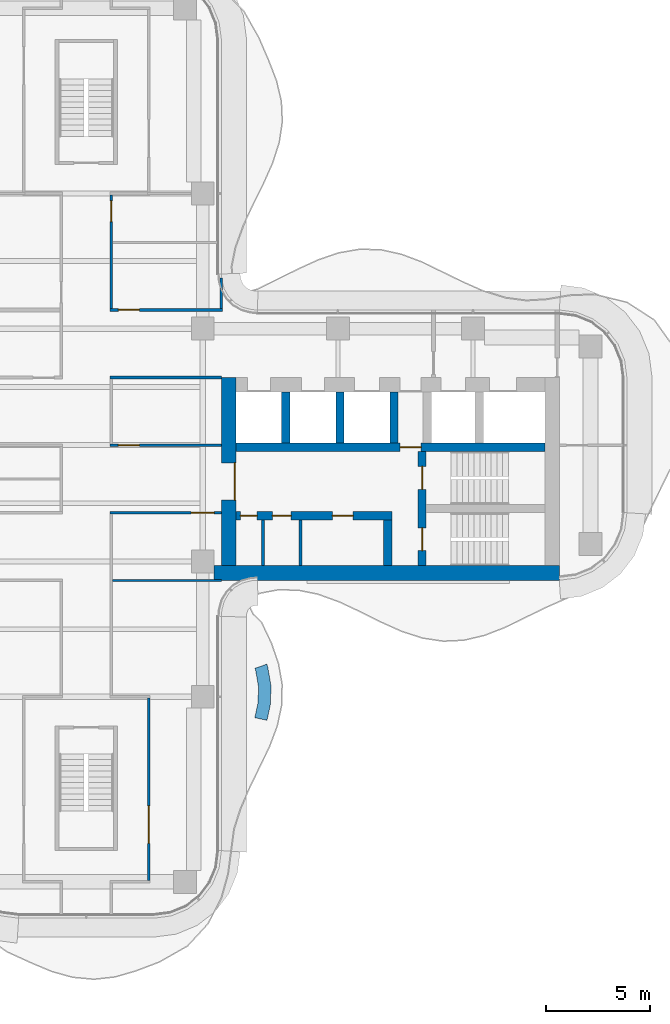
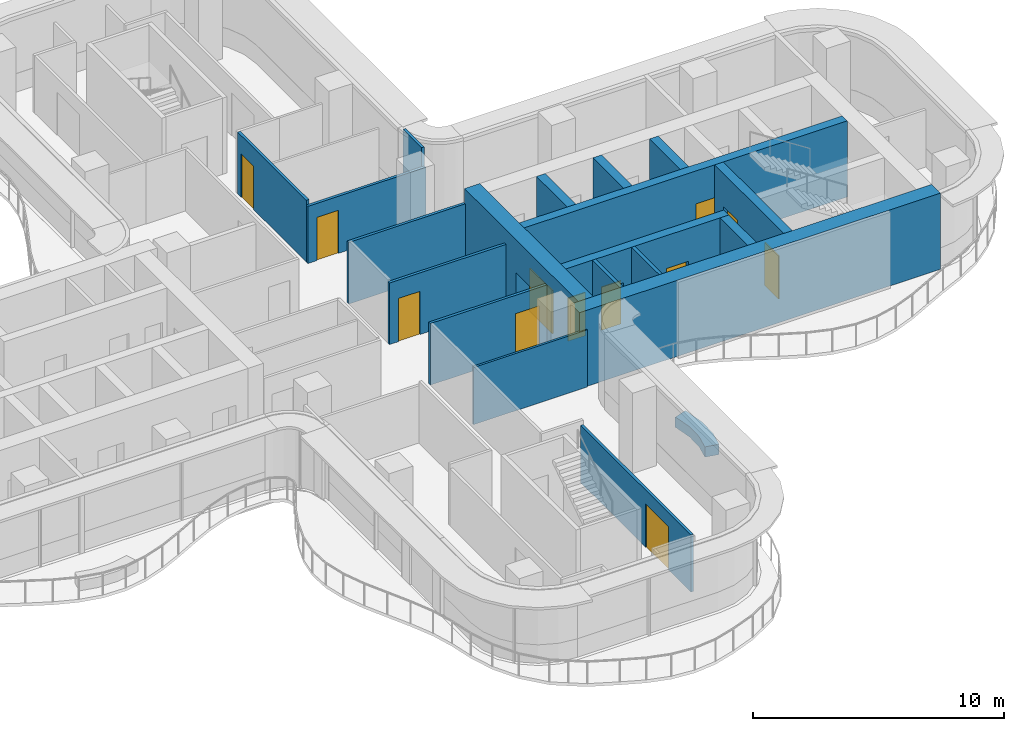
# One storey, part 12 of 16: 20 walls, 12 doors, 12 openings.
"""IFC4 building model written with IfcOpenShell, lengths in metres."""

from ifc_helpers import new_model, si_unit, direction, frame, frame_2d, origin, place, context, subcontext, project, spatial, polyline, rectangle, outline, extrude, source, transform, mapped, material, layer, layer_set, type_object, element, fill, save


model = new_model("IFC4")

# Units and contexts
model_context = context("Model", 3, precision=1e-05, world=origin(), true_north=direction((0.0, 1.0)))
body_context = subcontext(model_context, "Body", "Model", "MODEL_VIEW")
ifc_project = project(units=[si_unit("LENGTHUNIT", "METRE"), si_unit("AREAUNIT", "SQUARE_METRE"), si_unit("VOLUMEUNIT", "CUBIC_METRE"), si_unit("PLANEANGLEUNIT", "RADIAN"), si_unit("MASSUNIT", "GRAM", prefix="KILO")], contexts=[model_context])

# Site, building, storey
site_placement = place(None, origin())
site = spatial("IfcSite", under=ifc_project, at=site_placement, CompositionType="ELEMENT")
building_placement = place(site_placement, origin())
building = spatial("IfcBuilding", under=site, at=building_placement, Name="Trellis Farm Tower", CompositionType="ELEMENT")
storey_placement = place(building_placement, frame((0.0, 0.0, 248.0)))
storey = spatial("IfcBuildingStorey", under=building, at=storey_placement, Name="L55", CompositionType="ELEMENT", Elevation=248.0)

# Wall
ifc_material_1 = material(Name="Sandstone faced masonry planter", Category="masonry")
ifc_layer_1 = layer(ifc_material_1, 0.60009765625)
ifc_layer_set_1 = layer_set([ifc_layer_1], Name="PLANTER BED 600")
wall_type_1 = type_object("IfcWallType", Name="PLANTER BED 600", PredefinedType="USERDEFINED", material=ifc_layer_set_1)
wall_1_placement = place(storey_placement, origin())
element("IfcWall", 1, at=wall_1_placement, inside=storey, type_object=wall_type_1, Name="PLANTER bed", ObjectType="PLANTER", PredefinedType="USERDEFINED", context=body_context, shape_type="SweptSolid", body=[
    extrude(outline(polyline([(8.882080078125, -11.554443359375), (8.862548828125, -12.4453125), (8.693359375, -13.23388671875), (8.106689453125, -13.10791015625), (8.263916015625, -12.375244140625), (8.28076171875, -11.599853515625), (8.142822265625, -10.806884765625), (8.1162109375, -10.72900390625), (8.683837890625, -10.53466796875), (8.725830078125, -10.6572265625), (8.882080078125, -11.554443359375)])), origin(), (0.0, 0.0, 1.0), 0.5),
])

# Wall, opening, door
ifc_material_2 = material(Name="Concrete C60/75", Category="concrete")
ifc_layer_2 = layer(ifc_material_2, 0.699951171875)
ifc_layer_set_2 = layer_set([ifc_layer_2], Name="CORE OUTER WALL 700 CONCRETE C60/75")
wall_type_2 = type_object("IfcWallType", Name="CORE OUTER WALL 700 CONCRETE C60/75", PredefinedType="SHEAR", material=ifc_layer_set_2)
shared_shape_1 = source(origin(), body_context, "Body", "SweptSolid", [
    extrude(rectangle(XDim=9.050048828125, YDim=0.699951171875, at=frame_2d((4.52490234375, 0.0))), origin(), (0.0, 0.0, 1.0), 3.699951171875),
])
wall_2_placement = place(storey_placement, frame((6.85009765625, -5.800048828125, 0.0), z_axis=(0.0, 0.0, 1.0), x_axis=(0.0, 1.0, 0.0)))
wall_2 = element("IfcWall", 2, at=wall_2_placement, inside=storey, type_object=wall_type_2, Name="Core wall", PredefinedType="SHEAR", context=body_context, shape_type="MappedRepresentation", body=[
    mapped(shared_shape_1, transform((0.0, 0.0, 0.0))),
])
shared_shape_2 = source(origin(), body_context, "Body", "SweptSolid", [
    extrude(rectangle(XDim=1.800048828125, YDim=2.10009765625, at=frame_2d((0.89990234375, 1.050048828125))), frame((0.0, 0.360107421875, 0.0), z_axis=(0.0, -1.0, 0.0), x_axis=(1.0, 0.0, 0.0)), (0.0, 0.0, 1.0), 0.72021484375),
])
opening_1_placement = place(wall_2_placement, frame((3.14990234375, 0.0, 0.0)))
opening_1 = element("IfcOpeningElement", 3, at=opening_1_placement, cuts=wall_2, Name="Opening DC1", PredefinedType="OPENING", context=body_context, shape_type="MappedRepresentation", body=[
    mapped(shared_shape_2, transform((0.0, 0.0, 0.0))),
])
ifc_material_3 = material(Name="Steel", Category="steel")
door_type_1 = type_object("IfcDoorType", Name="CORE FIRE DOOR DOUBLE 1800 X 2100", OperationType="DOUBLE_DOOR_SINGLE_SWING", PredefinedType="DOOR", material=ifc_material_3)
shared_shape_3 = source(origin(), body_context, "Body", "SweptSolid", [
    extrude(rectangle(XDim=1.800048828125, YDim=2.10009765625, at=frame_2d((0.89990234375, 1.050048828125))), frame((0.0, -0.27490234375, 0.0), z_axis=(0.0, -1.0, 0.0), x_axis=(1.0, 0.0, 0.0)), (0.0, 0.0, 1.0), 0.050048828125),
])
door_1_placement = place(opening_1_placement, origin())
door_1 = element("IfcDoor", 4, at=door_1_placement, inside=storey, type_object=door_type_1, Name="Core door", OperationType="DOUBLE_DOOR_SINGLE_SWING", OverallHeight=2.10009765625, OverallWidth=1.800048828125, PredefinedType="DOOR", context=body_context, shape_type="MappedRepresentation", body=[
    mapped(shared_shape_3, transform((0.0, 0.0, 0.0))),
])
fill(opening_1, door_1)

# Walls
ifc_layer_3 = layer(ifc_material_2, 0.39990234375)
ifc_layer_set_3 = layer_set([ifc_layer_3], Name="CORE INNER WALL 400 CONCRETE C60/75")
wall_type_3 = type_object("IfcWallType", Name="CORE INNER WALL 400 CONCRETE C60/75", PredefinedType="SHEAR", material=ifc_layer_set_3)
shared_shape_4 = source(origin(), body_context, "Body", "SweptSolid", [
    extrude(rectangle(XDim=2.449951171875, YDim=0.39990234375, at=frame_2d((1.22509765625, 0.0))), origin(), (0.0, 0.0, 1.0), 3.699951171875),
])
for number, where, z_axis, x_axis, name in (
    (5, (9.60009765625, 0.10009765625, 0.0), (0.0, 0.0, 1.0), (0.0, 1.0, 0.0), "Core wall"),
    (6, (12.199951171875, 0.10009765625, 0.0), (0.0, 0.0, 1.0), (0.0, 1.0, 0.0), "Core wall"),
    (7, (14.800048828125, 0.10009765625, 0.0), (0.0, 0.0, 1.0), (0.0, 1.0, 0.0), "Core wall"),
):
    element("IfcWall", number, at=place(storey_placement, frame(where, z_axis=z_axis, x_axis=x_axis)), inside=storey, type_object=wall_type_3, Name=name, PredefinedType="SHEAR", context=body_context, shape_type="MappedRepresentation", body=[
        mapped(shared_shape_4, transform((0.0, 0.0, 0.0))),
    ])

# Wall, openings, doors
shared_shape_5 = source(origin(), body_context, "Body", "SweptSolid", [
    extrude(rectangle(XDim=7.5, YDim=0.39990234375, at=frame_2d((3.75, 0.0))), origin(), (0.0, 0.0, 1.0), 3.699951171875),
])
wall_3_placement = place(storey_placement, frame((7.199951171875, -3.39990234375, 0.0), z_axis=(0.0, 0.0, 1.0), x_axis=(1.0, 0.0, 0.0)))
wall_3 = element("IfcWall", 8, at=wall_3_placement, inside=storey, type_object=wall_type_3, Name="Core wall", PredefinedType="SHEAR", context=body_context, shape_type="MappedRepresentation", body=[
    mapped(shared_shape_5, transform((0.0, 0.0, 0.0))),
])
shared_shape_6 = source(origin(), body_context, "Body", "SweptSolid", [
    extrude(rectangle(XDim=0.800048828125, YDim=2.10009765625, at=frame_2d((0.39990234375, 1.050048828125))), frame((0.0, 0.2099609375, 0.0), z_axis=(0.0, -1.0, 0.0), x_axis=(1.0, 0.0, 0.0)), (0.0, 0.0, 1.0), 0.419921875),
])
opening_2_placement = place(wall_3_placement, frame((0.21240234375, 0.0, 0.0)))
opening_2 = element("IfcOpeningElement", 9, at=opening_2_placement, cuts=wall_3, Name="Opening DC51", PredefinedType="OPENING", context=body_context, shape_type="MappedRepresentation", body=[
    mapped(shared_shape_6, transform((0.0, 0.0, 0.0))),
])
shared_shape_7 = source(origin(), body_context, "Body", "SweptSolid", [
    extrude(rectangle(XDim=0.89990234375, YDim=2.10009765625, at=frame_2d((0.449951171875, 1.050048828125))), frame((0.0, 0.2099609375, 0.0), z_axis=(0.0, -1.0, 0.0), x_axis=(1.0, 0.0, 0.0)), (0.0, 0.0, 1.0), 0.419921875),
])
opening_3_placement = place(wall_3_placement, frame((1.75, 0.0, 0.0)))
opening_3 = element("IfcOpeningElement", 10, at=opening_3_placement, cuts=wall_3, Name="Opening DC60", PredefinedType="OPENING", context=body_context, shape_type="MappedRepresentation", body=[
    mapped(shared_shape_7, transform((0.0, 0.0, 0.0))),
])
shared_shape_8 = source(origin(), body_context, "Body", "SweptSolid", [
    extrude(rectangle(XDim=1.0, YDim=2.10009765625, at=frame_2d((0.5, 1.050048828125))), frame((0.0, 0.2099609375, 0.0), z_axis=(0.0, -1.0, 0.0), x_axis=(1.0, 0.0, 0.0)), (0.0, 0.0, 1.0), 0.419921875),
])
opening_4_placement = place(wall_3_placement, frame((4.637451171875, 0.0, 0.0)))
opening_4 = element("IfcOpeningElement", 11, at=opening_4_placement, cuts=wall_3, Name="Opening DC67", PredefinedType="OPENING", context=body_context, shape_type="MappedRepresentation", body=[
    mapped(shared_shape_8, transform((0.0, 0.0, 0.0))),
])
door_type_2 = type_object("IfcDoorType", Name="CORE FIRE DOOR 1000 X 2100", OperationType="NOTDEFINED", PredefinedType="DOOR", material=ifc_material_3)
shared_shape_9 = source(origin(), body_context, "Body", "SweptSolid", [
    extrude(rectangle(XDim=1.0, YDim=2.10009765625, at=frame_2d((0.5, 1.050048828125))), frame((0.0, 0.02490234375, 0.0), z_axis=(0.0, -1.0, 0.0), x_axis=(1.0, 0.0, 0.0)), (0.0, 0.0, 1.0), 0.050048828125),
])
door_2_placement = place(opening_4_placement, origin())
door_2 = element("IfcDoor", 12, at=door_2_placement, inside=storey, type_object=door_type_2, Name="Core door", OperationType="SINGLE_SWING_LEFT", OverallHeight=2.10009765625, OverallWidth=1.0, PredefinedType="DOOR", context=body_context, shape_type="MappedRepresentation", body=[
    mapped(shared_shape_9, transform((0.0, 0.0, 0.0))),
])
fill(opening_4, door_2)
door_type_3 = type_object("IfcDoorType", Name="CORE FIRE DOOR 900 X 2100", OperationType="NOTDEFINED", PredefinedType="DOOR", material=ifc_material_3)
shared_shape_10 = source(origin(), body_context, "Body", "SweptSolid", [
    extrude(rectangle(XDim=0.89990234375, YDim=2.10009765625, at=frame_2d((0.449951171875, 1.050048828125))), frame((0.0, 0.02490234375, 0.0), z_axis=(0.0, -1.0, 0.0), x_axis=(1.0, 0.0, 0.0)), (0.0, 0.0, 1.0), 0.050048828125),
])
door_3_placement = place(opening_3_placement, origin())
door_3 = element("IfcDoor", 13, at=door_3_placement, inside=storey, type_object=door_type_3, Name="Core door", OperationType="SINGLE_SWING_RIGHT", OverallHeight=2.10009765625, OverallWidth=0.89990234375, PredefinedType="DOOR", context=body_context, shape_type="MappedRepresentation", body=[
    mapped(shared_shape_10, transform((0.0, 0.0, 0.0))),
])
fill(opening_3, door_3)
door_type_4 = type_object("IfcDoorType", Name="CORE FIRE DOOR 800 X 2100", OperationType="NOTDEFINED", PredefinedType="DOOR", material=ifc_material_3)
shared_shape_11 = source(origin(), body_context, "Body", "SweptSolid", [
    extrude(rectangle(XDim=0.800048828125, YDim=2.10009765625, at=frame_2d((0.39990234375, 1.050048828125))), frame((0.0, 0.02490234375, 0.0), z_axis=(0.0, -1.0, 0.0), x_axis=(1.0, 0.0, 0.0)), (0.0, 0.0, 1.0), 0.050048828125),
])
door_4_placement = place(opening_2_placement, origin())
door_4 = element("IfcDoor", 14, at=door_4_placement, inside=storey, type_object=door_type_4, Name="Core door", OperationType="SINGLE_SWING_LEFT", OverallHeight=2.10009765625, OverallWidth=0.800048828125, PredefinedType="DOOR", context=body_context, shape_type="MappedRepresentation", body=[
    mapped(shared_shape_11, transform((0.0, 0.0, 0.0))),
])
fill(opening_2, door_4)

# Wall, opening, door
shared_shape_12 = source(origin(), body_context, "Body", "SweptSolid", [
    extrude(rectangle(XDim=14.85009765625, YDim=0.39990234375, at=frame_2d((7.425048828125, 0.0))), origin(), (0.0, 0.0, 1.0), 3.699951171875),
])
wall_4_placement = place(storey_placement, frame((7.199951171875, -0.10009765625, 0.0), z_axis=(0.0, 0.0, 1.0), x_axis=(1.0, 0.0, 0.0)))
wall_4 = element("IfcWall", 15, at=wall_4_placement, inside=storey, type_object=wall_type_3, Name="Core wall", PredefinedType="SHEAR", context=body_context, shape_type="MappedRepresentation", body=[
    mapped(shared_shape_12, transform((0.0, 0.0, 0.0))),
])
opening_5_placement = place(wall_4_placement, frame((7.89990234375, 0.0, 0.0)))
opening_5 = element("IfcOpeningElement", 16, at=opening_5_placement, cuts=wall_4, Name="Opening DC5", PredefinedType="OPENING", context=body_context, shape_type="MappedRepresentation", body=[
    mapped(shared_shape_8, transform((0.0, 0.0, 0.0))),
])
door_5_placement = place(opening_5_placement, origin())
door_5 = element("IfcDoor", 17, at=door_5_placement, inside=storey, type_object=door_type_2, Name="Core door", OperationType="SINGLE_SWING_RIGHT", OverallHeight=2.10009765625, OverallWidth=1.0, PredefinedType="DOOR", context=body_context, shape_type="MappedRepresentation", body=[
    mapped(shared_shape_9, transform((0.0, 0.0, 0.0))),
])
fill(opening_5, door_5)

# Wall, openings, doors
shared_shape_13 = source(origin(), body_context, "Body", "SweptSolid", [
    extrude(rectangle(XDim=5.5, YDim=0.39990234375, at=frame_2d((2.75, 0.0))), origin(), (0.0, 0.0, 1.0), 3.699951171875),
])
wall_5_placement = place(storey_placement, frame((16.14990234375, -5.800048828125, 0.0), z_axis=(0.0, 0.0, 1.0), x_axis=(0.0, 1.0, 0.0)))
wall_5 = element("IfcWall", 18, at=wall_5_placement, inside=storey, type_object=wall_type_3, Name="Core wall", PredefinedType="SHEAR", context=body_context, shape_type="MappedRepresentation", body=[
    mapped(shared_shape_13, transform((0.0, 0.0, 0.0))),
])
shared_shape_14 = source(origin(), body_context, "Body", "SweptSolid", [
    extrude(rectangle(XDim=1.10009765625, YDim=2.10009765625, at=frame_2d((0.550048828125, 1.050048828125))), frame((0.0, 0.2099609375, 0.0), z_axis=(0.0, -1.0, 0.0), x_axis=(1.0, 0.0, 0.0)), (0.0, 0.0, 1.0), 0.419921875),
])
opening_6_placement = place(wall_5_placement, frame((0.72509765625, 0.0, 0.0)))
opening_6 = element("IfcOpeningElement", 19, at=opening_6_placement, cuts=wall_5, Name="Opening DC2", PredefinedType="OPENING", context=body_context, shape_type="MappedRepresentation", body=[
    mapped(shared_shape_14, transform((0.0, 0.0, 0.0))),
])
opening_7_placement = place(wall_5_placement, frame((3.675048828125, 0.0, 0.0)))
opening_7 = element("IfcOpeningElement", 20, at=opening_7_placement, cuts=wall_5, Name="Opening DC3", PredefinedType="OPENING", context=body_context, shape_type="MappedRepresentation", body=[
    mapped(shared_shape_14, transform((0.0, 0.0, 0.0))),
])
door_type_5 = type_object("IfcDoorType", Name="CORE FIRE DOOR 1100 X 2100", OperationType="NOTDEFINED", PredefinedType="DOOR", material=ifc_material_3)
shared_shape_15 = source(origin(), body_context, "Body", "SweptSolid", [
    extrude(rectangle(XDim=1.10009765625, YDim=2.10009765625, at=frame_2d((0.550048828125, 1.050048828125))), frame((0.0, 0.02490234375, 0.0), z_axis=(0.0, -1.0, 0.0), x_axis=(1.0, 0.0, 0.0)), (0.0, 0.0, 1.0), 0.050048828125),
])
door_6_placement = place(opening_6_placement, origin())
door_6 = element("IfcDoor", 21, at=door_6_placement, inside=storey, type_object=door_type_5, Name="Core door", OperationType="SINGLE_SWING_RIGHT", OverallHeight=2.10009765625, OverallWidth=1.10009765625, PredefinedType="DOOR", context=body_context, shape_type="MappedRepresentation", body=[
    mapped(shared_shape_15, transform((0.0, 0.0, 0.0))),
])
fill(opening_6, door_6)
door_7_placement = place(opening_7_placement, origin())
door_7 = element("IfcDoor", 22, at=door_7_placement, inside=storey, type_object=door_type_5, Name="Core door", OperationType="SINGLE_SWING_LEFT", OverallHeight=2.10009765625, OverallWidth=1.10009765625, PredefinedType="DOOR", context=body_context, shape_type="MappedRepresentation", body=[
    mapped(shared_shape_15, transform((0.0, 0.0, 0.0))),
])
fill(opening_7, door_7)

# Walls
shared_shape_16 = source(origin(), body_context, "Body", "SweptSolid", [
    extrude(rectangle(XDim=2.199951171875, YDim=0.39990234375, at=frame_2d((1.10009765625, 0.0))), origin(), (0.0, 0.0, 1.0), 3.699951171875),
])
wall_6_placement = place(storey_placement, frame((14.5, -5.800048828125, 0.0), z_axis=(0.0, 0.0, 1.0), x_axis=(0.0, 1.0, 0.0)))
element("IfcWall", 23, at=wall_6_placement, inside=storey, type_object=wall_type_3, Name="Core wall", PredefinedType="SHEAR", context=body_context, shape_type="MappedRepresentation", body=[
    mapped(shared_shape_16, transform((0.0, 0.0, 0.0))),
])
ifc_material_4 = material(Name="Masonry blockwork", Category="masonry")
ifc_layer_4 = layer(ifc_material_4, 0.14990234375)
ifc_layer_set_4 = layer_set([ifc_layer_4], Name="CORE PARTITION 150 BLOCKWORK")
wall_type_4 = type_object("IfcWallType", Name="CORE PARTITION 150 BLOCKWORK", PredefinedType="PARTITIONING", material=ifc_layer_set_4)
shared_shape_17 = source(origin(), body_context, "Body", "SweptSolid", [
    extrude(rectangle(XDim=2.199951171875, YDim=0.14990234375, at=frame_2d((1.10009765625, 0.0))), origin(), (0.0, 0.0, 1.0), 3.699951171875),
])
for number, where, z_axis, x_axis, name in (
    (24, (8.5, -5.800048828125, 0.0), (0.0, 0.0, 1.0), (0.0, 1.0, 0.0), "Core room partition"),
    (25, (10.300048828125, -5.800048828125, 0.0), (0.0, 0.0, 1.0), (0.0, 1.0, 0.0), "Core room partition"),
):
    element("IfcWall", number, at=place(storey_placement, frame(where, z_axis=z_axis, x_axis=x_axis)), inside=storey, type_object=wall_type_4, Name=name, PredefinedType="PARTITIONING", context=body_context, shape_type="MappedRepresentation", body=[
        mapped(shared_shape_17, transform((0.0, 0.0, 0.0))),
    ])
shared_shape_18 = source(origin(), body_context, "Body", "SweptSolid", [
    extrude(rectangle(XDim=16.60009765625, YDim=0.699951171875, at=frame_2d((8.300048828125, 0.0))), origin(), (0.0, 0.0, 1.0), 3.699951171875),
])
wall_7_placement = place(storey_placement, frame((6.14990234375, -6.14990234375, 0.0), z_axis=(0.0, 0.0, 1.0), x_axis=(1.0, 0.0, 0.0)))
element("IfcWall", 26, at=wall_7_placement, inside=storey, type_object=wall_type_2, Name="Core wall", PredefinedType="SHEAR", context=body_context, shape_type="MappedRepresentation", body=[
    mapped(shared_shape_18, transform((0.0, 0.0, 0.0))),
])

# Wall, opening, door
ifc_material_5 = material(Name="Plasterboard on steel studs, mineral wool", Category="steel")
ifc_layer_5 = layer(ifc_material_5, 0.125)
ifc_layer_set_5 = layer_set([ifc_layer_5], Name="PARTITION 125 STUD EI 60")
wall_type_5 = type_object("IfcWallType", Name="PARTITION 125 STUD EI 60", PredefinedType="PARTITIONING", material=ifc_layer_set_5)
shared_shape_19 = source(origin(), body_context, "Body", "SweptSolid", [
    extrude(rectangle(XDim=5.47509765625, YDim=0.125, at=frame_2d((2.737548828125, 0.0))), origin(), (0.0, 0.0, 1.0), 2.99658203125),
])
wall_8_placement = place(storey_placement, frame((1.199951171875, 12.03759765625, 0.0), z_axis=(0.0, 0.0, 1.0), x_axis=(0.0, -1.0, 0.0)))
wall_8 = element("IfcWall", 27, at=wall_8_placement, inside=storey, type_object=wall_type_5, Name="Partition PW1", PredefinedType="PARTITIONING", context=body_context, shape_type="MappedRepresentation", body=[
    mapped(shared_shape_19, transform((0.0, 0.0, 0.0))),
])
shared_shape_20 = source(origin(), body_context, "Body", "SweptSolid", [
    extrude(rectangle(XDim=1.0, YDim=2.10009765625, at=frame_2d((0.5, 1.050048828125))), frame((0.0, 0.072509765625, 0.0), z_axis=(0.0, -1.0, 0.0), x_axis=(1.0, 0.0, 0.0)), (0.0, 0.0, 1.0), 0.14501953125),
])
opening_8_placement = place(wall_8_placement, frame((0.28759765625, 0.0, 0.0)))
opening_8 = element("IfcOpeningElement", 28, at=opening_8_placement, cuts=wall_8, Name="Opening D107", PredefinedType="OPENING", context=body_context, shape_type="MappedRepresentation", body=[
    mapped(shared_shape_20, transform((0.0, 0.0, 0.0))),
])
ifc_material_6 = material(Name="Fire-rated timber door leaf in a hollow metal frame", Category="wood")
door_type_6 = type_object("IfcDoorType", Name="DOOR 1000x2100 FD30S", OperationType="NOTDEFINED", PredefinedType="DOOR", material=ifc_material_6)
door_8_placement = place(opening_8_placement, origin())
door_8 = element("IfcDoor", 29, at=door_8_placement, inside=storey, type_object=door_type_6, Name="Door D107", OperationType="SINGLE_SWING_LEFT", OverallHeight=2.10009765625, OverallWidth=1.0, PredefinedType="DOOR", context=body_context, shape_type="MappedRepresentation", body=[
    mapped(shared_shape_9, transform((0.0, 0.0, 0.0))),
])
fill(opening_8, door_8)

# Wall
shared_shape_21 = source(origin(), body_context, "Body", "SweptSolid", [
    extrude(rectangle(XDim=1.468994140625, YDim=0.125, at=frame_2d((0.734375, 0.0))), origin(), (0.0, 0.0, 1.0), 3.699951171875),
])
wall_9_placement = place(storey_placement, frame((6.5, 6.5625, 0.0), z_axis=(0.0, 0.0, 1.0), x_axis=(0.0, 1.0, 0.0)))
element("IfcWall", 30, at=wall_9_placement, inside=storey, type_object=wall_type_5, Name="Partition PW1", PredefinedType="PARTITIONING", context=body_context, shape_type="MappedRepresentation", body=[
    mapped(shared_shape_21, transform((0.0, 0.0, 0.0))),
])

# Wall, opening, door
shared_shape_22 = source(origin(), body_context, "Body", "SweptSolid", [
    extrude(rectangle(XDim=5.362548828125, YDim=0.125, at=frame_2d((2.68115234375, 0.0))), origin(), (0.0, 0.0, 1.0), 2.99658203125),
])
wall_10_placement = place(storey_placement, frame((6.5, -3.25, 0.0), z_axis=(0.0, 0.0, 1.0), x_axis=(-1.0, 0.0, 0.0)))
wall_10 = element("IfcWall", 31, at=wall_10_placement, inside=storey, type_object=wall_type_5, Name="Partition PW1", PredefinedType="PARTITIONING", context=body_context, shape_type="MappedRepresentation", body=[
    mapped(shared_shape_22, transform((0.0, 0.0, 0.0))),
])
shared_shape_23 = source(origin(), body_context, "Body", "SweptSolid", [
    extrude(rectangle(XDim=1.10009765625, YDim=2.10009765625, at=frame_2d((0.550048828125, 1.050048828125))), frame((0.0, 0.072509765625, 0.0), z_axis=(0.0, -1.0, 0.0), x_axis=(1.0, 0.0, 0.0)), (0.0, 0.0, 1.0), 0.14501953125),
])
opening_9_placement = place(wall_10_placement, frame((0.35009765625, 0.0, 0.0)))
opening_9 = element("IfcOpeningElement", 32, at=opening_9_placement, cuts=wall_10, Name="Opening D501", PredefinedType="OPENING", context=body_context, shape_type="MappedRepresentation", body=[
    mapped(shared_shape_23, transform((0.0, 0.0, 0.0))),
])
door_type_7 = type_object("IfcDoorType", Name="DOOR 1100x2100 FD30S", OperationType="NOTDEFINED", PredefinedType="DOOR", material=ifc_material_6)
door_9_placement = place(opening_9_placement, origin())
door_9 = element("IfcDoor", 33, at=door_9_placement, inside=storey, type_object=door_type_7, Name="Door D501", OperationType="SINGLE_SWING_LEFT", OverallHeight=2.10009765625, OverallWidth=1.10009765625, PredefinedType="DOOR", context=body_context, shape_type="MappedRepresentation", body=[
    mapped(shared_shape_15, transform((0.0, 0.0, 0.0))),
])
fill(opening_9, door_9)

wall_11_placement = place(storey_placement, frame((6.5, 0.0, 0.0), z_axis=(0.0, 0.0, 1.0), x_axis=(-1.0, 0.0, 0.0)))
wall_11 = element("IfcWall", 34, at=wall_11_placement, inside=storey, type_object=wall_type_5, Name="Partition PW1", PredefinedType="PARTITIONING", context=body_context, shape_type="MappedRepresentation", body=[
    mapped(shared_shape_22, transform((0.0, 0.0, 0.0))),
])
opening_10_placement = place(wall_11_placement, frame((3.949951171875, 0.0, 0.0)))
opening_10 = element("IfcOpeningElement", 35, at=opening_10_placement, cuts=wall_11, Name="Opening D103", PredefinedType="OPENING", context=body_context, shape_type="MappedRepresentation", body=[
    mapped(shared_shape_20, transform((0.0, 0.0, 0.0))),
])
door_10_placement = place(opening_10_placement, origin())
door_10 = element("IfcDoor", 36, at=door_10_placement, inside=storey, type_object=door_type_6, Name="Door D103", OperationType="SINGLE_SWING_RIGHT", OverallHeight=2.10009765625, OverallWidth=1.0, PredefinedType="DOOR", context=body_context, shape_type="MappedRepresentation", body=[
    mapped(shared_shape_9, transform((0.0, 0.0, 0.0))),
])
fill(opening_10, door_10)

# Wall
wall_12_placement = place(storey_placement, frame((1.137451171875, 3.25, 0.0), z_axis=(0.0, 0.0, 1.0), x_axis=(1.0, 0.0, 0.0)))
element("IfcWall", 37, at=wall_12_placement, inside=storey, type_object=wall_type_5, Name="Partition PW1", PredefinedType="PARTITIONING", context=body_context, shape_type="MappedRepresentation", body=[
    mapped(shared_shape_22, transform((0.0, 0.0, 0.0))),
])

# Wall, opening, door
shared_shape_24 = source(origin(), body_context, "Body", "SweptSolid", [
    extrude(rectangle(XDim=5.425048828125, YDim=0.125, at=frame_2d((2.71240234375, 0.0))), origin(), (0.0, 0.0, 1.0), 2.780029296875),
])
wall_13_placement = place(storey_placement, frame((1.137451171875, 6.5, 0.0), z_axis=(0.0, 0.0, 1.0), x_axis=(1.0, 0.0, 0.0)))
wall_13 = element("IfcWall", 38, at=wall_13_placement, inside=storey, type_object=wall_type_5, Name="Partition PW1", PredefinedType="PARTITIONING", context=body_context, shape_type="MappedRepresentation", body=[
    mapped(shared_shape_24, transform((0.0, 0.0, 0.0))),
])
opening_11_placement = place(wall_13_placement, frame((0.41259765625, 0.0, 0.0)))
opening_11 = element("IfcOpeningElement", 39, at=opening_11_placement, cuts=wall_13, Name="Opening D105", PredefinedType="OPENING", context=body_context, shape_type="MappedRepresentation", body=[
    mapped(shared_shape_20, transform((0.0, 0.0, 0.0))),
])
door_11_placement = place(opening_11_placement, origin())
door_11 = element("IfcDoor", 40, at=door_11_placement, inside=storey, type_object=door_type_6, Name="Door D105", OperationType="SINGLE_SWING_LEFT", OverallHeight=2.10009765625, OverallWidth=1.0, PredefinedType="DOOR", context=body_context, shape_type="MappedRepresentation", body=[
    mapped(shared_shape_9, transform((0.0, 0.0, 0.0))),
])
fill(opening_11, door_11)

# Wall
ifc_material_7 = material(Name="Plasterboard on steel studs", Category="steel")
ifc_layer_6 = layer(ifc_material_7, 0.10009765625)
ifc_layer_set_6 = layer_set([ifc_layer_6], Name="PARTITION 100 STUD EI 30")
wall_type_6 = type_object("IfcWallType", Name="PARTITION 100 STUD EI 30", PredefinedType="PARTITIONING", material=ifc_layer_set_6)
shared_shape_25 = source(origin(), body_context, "Body", "SweptSolid", [
    extrude(rectangle(XDim=5.237548828125, YDim=0.10009765625, at=frame_2d((2.61865234375, 0.0))), origin(), (0.0, 0.0, 1.0), 2.780029296875),
])
wall_14_placement = place(storey_placement, frame((1.262451171875, -6.5, 0.0), z_axis=(0.0, 0.0, 1.0), x_axis=(1.0, 0.0, 0.0)))
element("IfcWall", 41, at=wall_14_placement, inside=storey, type_object=wall_type_6, Name="Partition PW2", PredefinedType="PARTITIONING", context=body_context, shape_type="MappedRepresentation", body=[
    mapped(shared_shape_25, transform((0.0, 0.0, 0.0))),
])

# Wall, opening, door
shared_shape_26 = source(origin(), body_context, "Body", "SweptSolid", [
    extrude(rectangle(XDim=8.77490234375, YDim=0.125, at=frame_2d((4.387451171875, 0.0))), origin(), (0.0, 0.0, 1.0), 2.780029296875),
])
wall_15_placement = place(storey_placement, frame((3.0, -12.16259765625, 0.0), z_axis=(0.0, 0.0, 1.0), x_axis=(0.0, -1.0, 0.0)))
wall_15 = element("IfcWall", 42, at=wall_15_placement, inside=storey, type_object=wall_type_5, Name="Partition PW1", PredefinedType="PARTITIONING", context=body_context, shape_type="MappedRepresentation", body=[
    mapped(shared_shape_26, transform((0.0, 0.0, 0.0))),
])
shared_shape_27 = source(origin(), body_context, "Body", "SweptSolid", [
    extrude(rectangle(XDim=1.800048828125, YDim=2.10009765625, at=frame_2d((0.89990234375, 1.050048828125))), frame((0.0, 0.072509765625, 0.0), z_axis=(0.0, -1.0, 0.0), x_axis=(1.0, 0.0, 0.0)), (0.0, 0.0, 1.0), 0.14501953125),
])
opening_12_placement = place(wall_15_placement, frame((5.1875, 0.0, 0.0)))
opening_12 = element("IfcOpeningElement", 43, at=opening_12_placement, cuts=wall_15, Name="Opening D202", PredefinedType="OPENING", context=body_context, shape_type="MappedRepresentation", body=[
    mapped(shared_shape_27, transform((0.0, 0.0, 0.0))),
])
door_type_8 = type_object("IfcDoorType", Name="DOOR PAIR 1800x2100 FD30S", OperationType="NOTDEFINED", PredefinedType="DOOR", material=ifc_material_6)
shared_shape_28 = source(origin(), body_context, "Body", "SweptSolid", [
    extrude(rectangle(XDim=1.800048828125, YDim=2.10009765625, at=frame_2d((0.89990234375, 1.050048828125))), frame((0.0, 0.02490234375, 0.0), z_axis=(0.0, -1.0, 0.0), x_axis=(1.0, 0.0, 0.0)), (0.0, 0.0, 1.0), 0.050048828125),
])
door_12_placement = place(opening_12_placement, origin())
door_12 = element("IfcDoor", 44, at=door_12_placement, inside=storey, type_object=door_type_8, Name="Door D202", OperationType="DOUBLE_DOOR_SINGLE_SWING", OverallHeight=2.10009765625, OverallWidth=1.800048828125, PredefinedType="DOOR", context=body_context, shape_type="MappedRepresentation", body=[
    mapped(shared_shape_28, transform((0.0, 0.0, 0.0))),
])
fill(opening_12, door_12)

save(model, "model.ifc")
